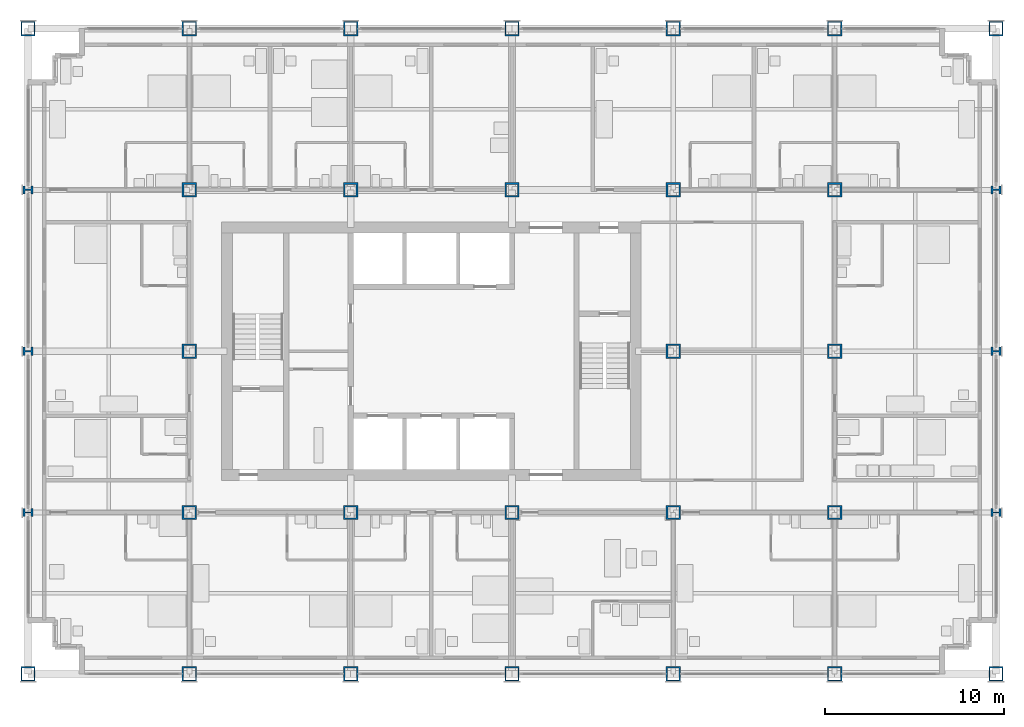
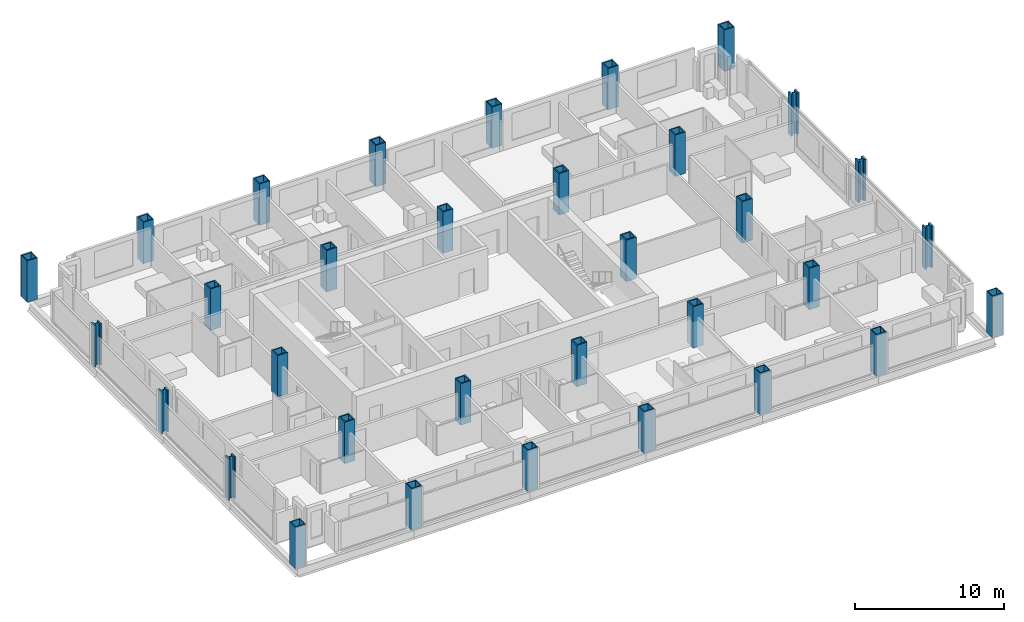
# One storey, part 1 of 18: 33 columns.
"""IFC4 building model written with IfcOpenShell, lengths in metres."""

from ifc_helpers import new_model, si_unit, direction, frame, origin, origin_2d, place, context, subcontext, project, spatial, hollow_rectangle, i_section, extrude, material, material_profile, profile_set, type_object, element, save


model = new_model("IFC4")

# Units and contexts
model_context = context("Model", 3, precision=1e-05, world=origin(), true_north=direction((0.0, 1.0)))
body_context = subcontext(model_context, "Body", "Model", "MODEL_VIEW")
ifc_project = project(units=[si_unit("LENGTHUNIT", "METRE"), si_unit("AREAUNIT", "SQUARE_METRE"), si_unit("VOLUMEUNIT", "CUBIC_METRE"), si_unit("PLANEANGLEUNIT", "RADIAN"), si_unit("MASSUNIT", "GRAM", prefix="KILO")], contexts=[model_context])

# Site, building, storey
site_placement = place(None, origin())
site = spatial("IfcSite", under=ifc_project, at=site_placement, CompositionType="ELEMENT")
building_placement = place(site_placement, origin())
building = spatial("IfcBuilding", under=site, at=building_placement, Name="Loomwork Tower", CompositionType="ELEMENT")
storey_placement = place(building_placement, frame((0.0, 0.0, 68.800048828125)))
storey = spatial("IfcBuildingStorey", under=building, at=storey_placement, Name="L17", CompositionType="ELEMENT", Elevation=68.800048828125)

# Columns
ifc_material_1 = material(Name="Steel ASTM A572 Grade 50 plate", Category="steel")
ifc_material_profile_1 = material_profile(ifc_material_1, hollow_rectangle(XDim=0.800048828125, YDim=0.800048828125, WallThickness=0.070068359375, at=origin_2d()), Name="BOX800x70")
ifc_profile_set_1 = profile_set([ifc_material_profile_1], Name="Steel ASTM A572 Grade 50 plate")
column_type_1 = type_object("IfcColumnType", Name="EXOSKELETON PIER BOX800x70", PredefinedType="COLUMN", material=ifc_profile_set_1)
for number, where, z_axis, x_axis, name in (
    (1, (0.0, 0.0, 0.0), (0.0, 0.0, 1.0), (1.0, 0.0, 0.0), "Exoskeleton Pier D/2 L17"),
    (2, (0.0, 36.0, 0.0), (0.0, 0.0, 1.0), (1.0, 0.0, 0.0), "Exoskeleton Pier H/2 L17"),
    (3, (9.0, 0.0, 0.0), (0.0, 0.0, 1.0), (1.0, 0.0, 0.0), "Exoskeleton Pier D/3 L17"),
    (4, (9.0, 36.0, 0.0), (0.0, 0.0, 1.0), (1.0, 0.0, 0.0), "Exoskeleton Pier H/3 L17"),
    (5, (18.0, 0.0, 0.0), (0.0, 0.0, 1.0), (1.0, 0.0, 0.0), "Exoskeleton Pier D/4 L17"),
    (6, (18.0, 36.0, 0.0), (0.0, 0.0, 1.0), (1.0, 0.0, 0.0), "Exoskeleton Pier H/4 L17"),
    (7, (27.0, 0.0, 0.0), (0.0, 0.0, 1.0), (1.0, 0.0, 0.0), "Exoskeleton Pier D/5 L17"),
    (8, (27.0, 36.0, 0.0), (0.0, 0.0, 1.0), (1.0, 0.0, 0.0), "Exoskeleton Pier H/5 L17"),
    (9, (36.0, 0.0, 0.0), (0.0, 0.0, 1.0), (1.0, 0.0, 0.0), "Exoskeleton Pier D/6 L17"),
    (10, (36.0, 36.0, 0.0), (0.0, 0.0, 1.0), (1.0, 0.0, 0.0), "Exoskeleton Pier H/6 L17"),
    (11, (45.0, 0.0, 0.0), (0.0, 0.0, 1.0), (1.0, 0.0, 0.0), "Exoskeleton Pier D/7 L17"),
    (12, (45.0, 36.0, 0.0), (0.0, 0.0, 1.0), (1.0, 0.0, 0.0), "Exoskeleton Pier H/7 L17"),
    (13, (54.0, 0.0, 0.0), (0.0, 0.0, 1.0), (1.0, 0.0, 0.0), "Exoskeleton Pier D/8 L17"),
    (14, (54.0, 36.0, 0.0), (0.0, 0.0, 1.0), (1.0, 0.0, 0.0), "Exoskeleton Pier H/8 L17"),
):
    element("IfcColumn", number, at=place(storey_placement, frame(where, z_axis=z_axis, x_axis=x_axis)), inside=storey, type_object=column_type_1, Name=name, PredefinedType="COLUMN", context=body_context, shape_type="SweptSolid", body=[
        extrude(hollow_rectangle(XDim=0.800048828125, YDim=0.800048828125, WallThickness=0.070068359375, at=origin_2d()), origin(), (0.0, 0.0, 1.0), 3.39990234375),
    ])
ifc_material_2 = material(Name="Steel ASTM A992", Category="steel")
ifc_material_profile_2 = material_profile(ifc_material_2, i_section(OverallWidth=0.45458984375, OverallDepth=0.56884765625, WebThickness=0.077880859375, FlangeThickness=0.124755859375, at=origin_2d()), Name="W14x730")
ifc_profile_set_2 = profile_set([ifc_material_profile_2], Name="Steel ASTM A992")
column_type_2 = type_object("IfcColumnType", Name="EXOSKELETON PIER W14x730", PredefinedType="COLUMN", material=ifc_profile_set_2)
for number, where, z_axis, x_axis, name in (
    (15, (0.0, 9.0, 0.0), (0.0, 0.0, 1.0), (0.0, 1.0, 0.0), "Exoskeleton Pier E/2 L17"),
    (16, (0.0, 18.0, 0.0), (0.0, 0.0, 1.0), (0.0, 1.0, 0.0), "Exoskeleton Pier F/2 L17"),
    (17, (0.0, 27.0, 0.0), (0.0, 0.0, 1.0), (0.0, 1.0, 0.0), "Exoskeleton Pier G/2 L17"),
    (18, (54.0, 9.0, 0.0), (0.0, 0.0, 1.0), (0.0, 1.0, 0.0), "Exoskeleton Pier E/8 L17"),
    (19, (54.0, 18.0, 0.0), (0.0, 0.0, 1.0), (0.0, 1.0, 0.0), "Exoskeleton Pier F/8 L17"),
    (20, (54.0, 27.0, 0.0), (0.0, 0.0, 1.0), (0.0, 1.0, 0.0), "Exoskeleton Pier G/8 L17"),
):
    element("IfcColumn", number, at=place(storey_placement, frame(where, z_axis=z_axis, x_axis=x_axis)), inside=storey, type_object=column_type_2, Name=name, PredefinedType="COLUMN", context=body_context, shape_type="SweptSolid", body=[
        extrude(i_section(OverallWidth=0.45458984375, OverallDepth=0.56884765625, WebThickness=0.077880859375, FlangeThickness=0.124755859375, at=origin_2d()), origin(), (0.0, 0.0, 1.0), 3.39990234375),
    ])
ifc_material_3 = material(Name="Steel ASTM A572 Grade 50 plate", Category="steel")
ifc_material_profile_3 = material_profile(ifc_material_3, hollow_rectangle(XDim=0.800048828125, YDim=0.800048828125, WallThickness=0.090087890625, at=origin_2d()), Name="BOX800x90")
ifc_profile_set_3 = profile_set([ifc_material_profile_3], Name="Steel ASTM A572 Grade 50 plate")
column_type_3 = type_object("IfcColumnType", Name="TOWER COLUMN BOX800x90", PredefinedType="COLUMN", material=ifc_profile_set_3)
for number, where, z_axis, x_axis, name in (
    (21, (9.0, 9.0, 0.0), (0.0, 0.0, 1.0), (1.0, 0.0, 0.0), "Tower Column E/3 L17"),
    (22, (9.0, 18.0, 0.0), (0.0, 0.0, 1.0), (1.0, 0.0, 0.0), "Tower Column F/3 L17"),
    (23, (9.0, 27.0, 0.0), (0.0, 0.0, 1.0), (1.0, 0.0, 0.0), "Tower Column G/3 L17"),
    (24, (18.0, 9.0, 0.0), (0.0, 0.0, 1.0), (1.0, 0.0, 0.0), "Tower Column E/4 L17"),
    (25, (18.0, 27.0, 0.0), (0.0, 0.0, 1.0), (1.0, 0.0, 0.0), "Tower Column G/4 L17"),
    (26, (27.0, 9.0, 0.0), (0.0, 0.0, 1.0), (1.0, 0.0, 0.0), "Tower Column E/5 L17"),
    (27, (27.0, 27.0, 0.0), (0.0, 0.0, 1.0), (1.0, 0.0, 0.0), "Tower Column G/5 L17"),
    (28, (36.0, 9.0, 0.0), (0.0, 0.0, 1.0), (0.0, 1.0, 0.0), "Tower Column E/6 L17"),
    (29, (36.0, 18.0, 0.0), (0.0, 0.0, 1.0), (0.0, 1.0, 0.0), "Tower Column F/6 L17"),
    (30, (36.0, 27.0, 0.0), (0.0, 0.0, 1.0), (1.0, 0.0, 0.0), "Tower Column G/6 L17"),
    (31, (45.0, 9.0, 0.0), (0.0, 0.0, 1.0), (0.0, 1.0, 0.0), "Tower Column E/7 L17"),
    (32, (45.0, 18.0, 0.0), (0.0, 0.0, 1.0), (0.0, 1.0, 0.0), "Tower Column F/7 L17"),
    (33, (45.0, 27.0, 0.0), (0.0, 0.0, 1.0), (0.0, 1.0, 0.0), "Tower Column G/7 L17"),
):
    element("IfcColumn", number, at=place(storey_placement, frame(where, z_axis=z_axis, x_axis=x_axis)), inside=storey, type_object=column_type_3, Name=name, PredefinedType="COLUMN", context=body_context, shape_type="SweptSolid", body=[
        extrude(hollow_rectangle(XDim=0.800048828125, YDim=0.800048828125, WallThickness=0.090087890625, at=origin_2d()), origin(), (0.0, 0.0, 1.0), 3.39990234375),
    ])

save(model, "model.ifc")
